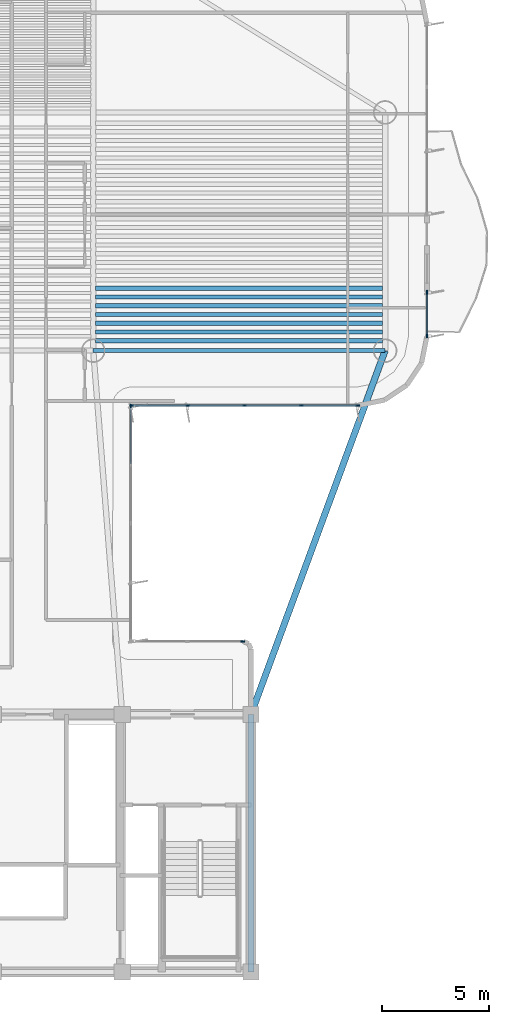
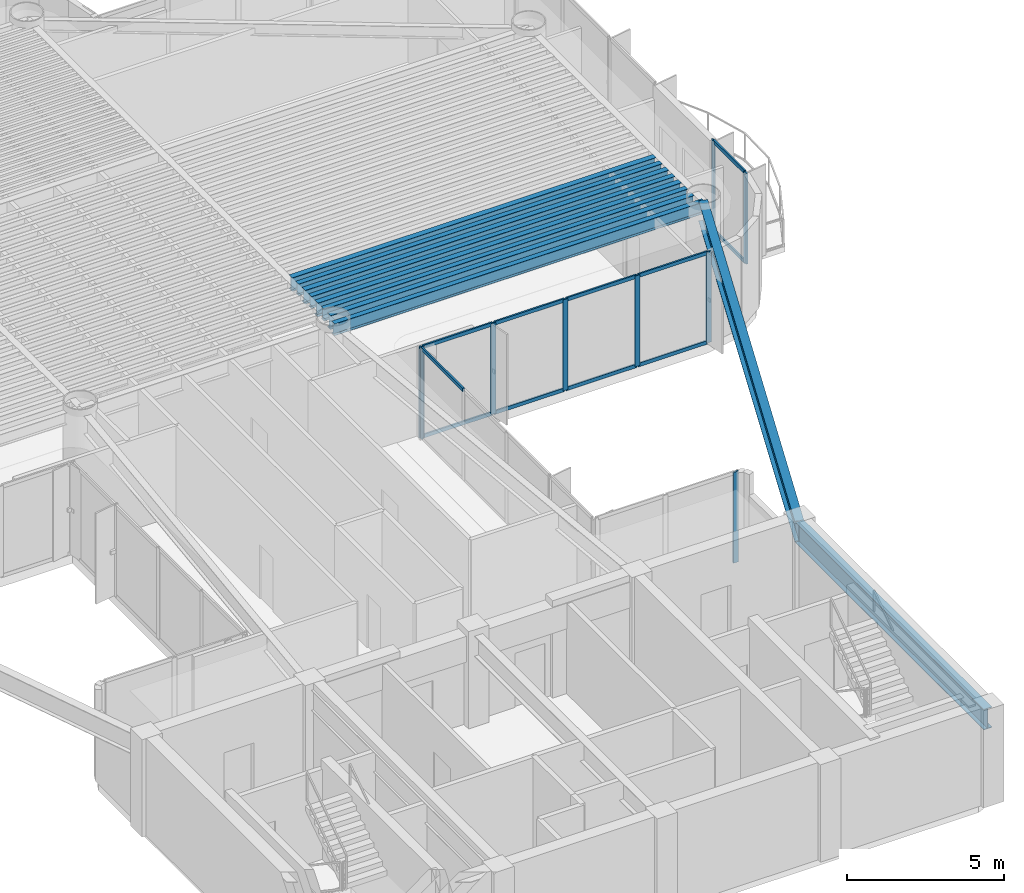
# One storey, part 4 of 15: 20 members, 10 beams, 4 elements without a shape of their own.
"""IFC4 building model written with IfcOpenShell, lengths in metres."""

from ifc_helpers import new_model, si_unit, direction, frame, origin, origin_2d, place, context, subcontext, project, spatial, rectangle, i_section, extrude, source, transform, mapped, material, layer, layer_set, material_profile, profile_set, type_object, element, aggregate, save


model = new_model("IFC4")

# Units and contexts
model_context = context("Model", 3, precision=1e-05, world=origin(), true_north=direction((0.0, 1.0)))
body_context = subcontext(model_context, "Body", "Model", "MODEL_VIEW")
ifc_project = project(units=[si_unit("LENGTHUNIT", "METRE"), si_unit("AREAUNIT", "SQUARE_METRE"), si_unit("VOLUMEUNIT", "CUBIC_METRE"), si_unit("PLANEANGLEUNIT", "RADIAN"), si_unit("MASSUNIT", "GRAM", prefix="KILO")], contexts=[model_context])

# Site, building, storey
site_placement = place(None, origin())
site = spatial("IfcSite", under=ifc_project, at=site_placement, CompositionType="ELEMENT")
building_placement = place(site_placement, origin())
building = spatial("IfcBuilding", under=site, at=building_placement, Name="Brelvock Crest Care Tower", CompositionType="ELEMENT")
storey_placement = place(building_placement, frame((0.0, 0.0, 156.419921875)))
storey = spatial("IfcBuildingStorey", under=building, at=storey_placement, Name="L39", CompositionType="ELEMENT", Elevation=156.419921875)

# Beams
ifc_material_1 = material(Name="Steel Grade 350", Category="steel")
ifc_material_profile_1 = material_profile(ifc_material_1, i_section(OverallWidth=0.300048828125, OverallDepth=0.800048828125, WebThickness=0.013916015625, FlangeThickness=0.02197265625, at=origin_2d()), Name="800WB192")
ifc_profile_set_1 = profile_set([ifc_material_profile_1], Name="Steel Grade 350")
beam_type_1 = type_object("IfcBeamType", Name="BM-G5", PredefinedType="BEAM", material=ifc_profile_set_1)
shared_shape_1 = source(origin(), body_context, "Body", "SweptSolid", [
    extrude(i_section(OverallWidth=0.300048828125, OverallDepth=0.800048828125, WebThickness=0.013916015625, FlangeThickness=0.02197265625, at=origin_2d()), origin(), (0.0, 0.0, 1.0), 12.0),
])
beam_1_placement = place(storey_placement, frame((48.0, 6.0, 3.130126953125), z_axis=(0.0, 1.0, 0.0), x_axis=(-1.0, 0.0, 0.0)))
element("IfcBeam", 1, at=beam_1_placement, inside=storey, type_object=beam_type_1, Name="BM-COREX-L39-5", PredefinedType="BEAM", context=body_context, shape_type="MappedRepresentation", body=[
    mapped(shared_shape_1, transform((0.0, 0.0, 0.0), x_axis=(1.0, 0.0, 0.0), y_axis=(0.0, 1.0, 0.0), z_axis=(0.0, 0.0, 1.0), scale=1.0)),
])
ifc_material_profile_2 = material_profile(ifc_material_1, i_section(OverallWidth=0.208984375, OverallDepth=0.532958984375, WebThickness=0.01025390625, FlangeThickness=0.015625, FilletRadius=0.013916015625, at=origin_2d()), Name="530UB92.4")
ifc_profile_set_2 = profile_set([ifc_material_profile_2], Name="Steel Grade 350")
beam_type_2 = type_object("IfcBeamType", Name="BM-G2", PredefinedType="BEAM", material=ifc_profile_set_2)
shared_shape_2 = source(origin(), body_context, "Body", "SweptSolid", [
    extrude(i_section(OverallWidth=0.208984375, OverallDepth=0.532958984375, WebThickness=0.01025390625, FlangeThickness=0.015625, FilletRadius=0.013916015625, at=origin_2d()), origin(), (0.0, 0.0, 1.0), 13.3701171875),
])
for number, where, z_axis, x_axis, name in (
    (2, (40.764892578125, 35.416259765625, 3.263671875), (1.0, 0.0, 0.0), (0.0, 1.0, 0.0), "BM-JE-L39-1"),
    (3, (40.764892578125, 36.2265625, 3.263671875), (1.0, 0.0, 0.0), (0.0, 1.0, 0.0), "BM-JE-L39-3"),
    (4, (40.764892578125, 37.036865234375, 3.263671875), (1.0, 0.0, 0.0), (0.0, 1.0, 0.0), "BM-JE-L39-5"),
    (5, (40.764892578125, 37.84716796875, 3.263671875), (1.0, 0.0, 0.0), (0.0, 1.0, 0.0), "BM-JE-L39-7"),
):
    element("IfcBeam", number, at=place(storey_placement, frame(where, z_axis=z_axis, x_axis=x_axis)), inside=storey, type_object=beam_type_2, Name=name, PredefinedType="BEAM", context=body_context, shape_type="MappedRepresentation", body=[
        mapped(shared_shape_2, transform((0.0, 0.0, 0.0), x_axis=(1.0, 0.0, 0.0), y_axis=(0.0, 1.0, 0.0), z_axis=(0.0, 0.0, 1.0), scale=1.0)),
    ])
ifc_material_profile_3 = material_profile(ifc_material_1, i_section(OverallWidth=0.19091796875, OverallDepth=0.4599609375, WebThickness=0.010009765625, FlangeThickness=0.01611328125, FilletRadius=0.011474609375, at=origin_2d()), Name="460UB82.1")
ifc_profile_set_3 = profile_set([ifc_material_profile_3], Name="Steel Grade 350")
beam_type_3 = type_object("IfcBeamType", Name="BM-G3", PredefinedType="BEAM", material=ifc_profile_set_3)
shared_shape_3 = source(origin(), body_context, "Body", "SweptSolid", [
    extrude(i_section(OverallWidth=0.19091796875, OverallDepth=0.4599609375, WebThickness=0.010009765625, FlangeThickness=0.01611328125, FilletRadius=0.011474609375, at=origin_2d()), origin(), (0.0, 0.0, 1.0), 13.3701171875),
])
for number, where, z_axis, x_axis, name in (
    (6, (40.764892578125, 35.8212890625, 3.300048828125), (1.0, 0.0, 0.0), (0.0, 1.0, 0.0), "BM-JE-L39-2"),
    (7, (40.764892578125, 36.631591796875, 3.300048828125), (1.0, 0.0, 0.0), (0.0, 1.0, 0.0), "BM-JE-L39-4"),
    (8, (40.764892578125, 37.44189453125, 3.300048828125), (1.0, 0.0, 0.0), (0.0, 1.0, 0.0), "BM-JE-L39-6"),
):
    element("IfcBeam", number, at=place(storey_placement, frame(where, z_axis=z_axis, x_axis=x_axis)), inside=storey, type_object=beam_type_3, Name=name, PredefinedType="BEAM", context=body_context, shape_type="MappedRepresentation", body=[
        mapped(shared_shape_3, transform((0.0, 0.0, 0.0), x_axis=(1.0, 0.0, 0.0), y_axis=(0.0, 1.0, 0.0), z_axis=(0.0, 0.0, 1.0), scale=1.0)),
    ])
ifc_material_profile_4 = material_profile(ifc_material_1, i_section(OverallWidth=0.19091796875, OverallDepth=0.4599609375, WebThickness=0.010009765625, FlangeThickness=0.01611328125, FilletRadius=0.011474609375, at=origin_2d()), Name="460UB82.1")
ifc_profile_set_4 = profile_set([ifc_material_profile_4], Name="Steel Grade 350")
beam_type_4 = type_object("IfcBeamType", Name="BM-SP2", PredefinedType="SPANDREL", material=ifc_profile_set_4)
shared_shape_4 = source(origin(), body_context, "Body", "SweptSolid", [
    extrude(i_section(OverallWidth=0.19091796875, OverallDepth=0.4599609375, WebThickness=0.010009765625, FlangeThickness=0.01611328125, FilletRadius=0.011474609375, at=origin_2d()), origin(), (0.0, 0.0, 1.0), 13.60009765625),
])
beam_2_placement = place(storey_placement, frame((40.64990234375, 34.949951171875, 3.300048828125), z_axis=(1.0, 0.0, 0.0), x_axis=(0.0, 1.0, 0.0)))
element("IfcBeam", 9, at=beam_2_placement, inside=storey, type_object=beam_type_4, Name="BM-TWR-L39-04", PredefinedType="SPANDREL", context=body_context, shape_type="MappedRepresentation", body=[
    mapped(shared_shape_4, transform((0.0, 0.0, 0.0), x_axis=(1.0, 0.0, 0.0), y_axis=(0.0, 1.0, 0.0), z_axis=(0.0, 0.0, 1.0), scale=1.0)),
])
shared_shape_5 = source(origin(), body_context, "Body", "SweptSolid", [
    extrude(i_section(OverallWidth=0.300048828125, OverallDepth=0.800048828125, WebThickness=0.013916015625, FlangeThickness=0.02197265625, at=origin_2d()), origin(), (0.0, 0.0, 1.0), 18.0654296875),
])
beam_3_placement = place(storey_placement, frame((48.0, 18.0, 3.130126953125), z_axis=(0.345962741309, 0.938248251597, 0.0), x_axis=(-0.938248251597, 0.345962741309, 0.0)))
element("IfcBeam", 10, at=beam_3_placement, inside=storey, type_object=beam_type_1, Name="BM-THRO-E-L39", PredefinedType="BEAM", context=body_context, shape_type="MappedRepresentation", body=[
    mapped(shared_shape_5, transform((0.0, 0.0, 0.0), x_axis=(1.0, 0.0, 0.0), y_axis=(0.0, 1.0, 0.0), z_axis=(0.0, 0.0, 1.0), scale=1.0)),
])

# Curtain wall, members
ifc_material_2 = material(Name="Dark Glass Double Glazed Low-E", Category="glass")
ifc_layer = layer(ifc_material_2, 0.22509765625, Name="CWS-4")
ifc_layer_set = layer_set([ifc_layer], Name="Dark Glass Double Glazed Low-E")
curtain_wall_type = type_object("IfcCurtainWallType", Name="CWS-4", PredefinedType="NOTDEFINED", material=ifc_layer_set)
curtain_wall_1_placement = place(storey_placement, origin())
curtain_wall_1 = element("IfcCurtainWall", 11, at=curtain_wall_1_placement, inside=storey, type_object=curtain_wall_type, Name="L39 Curtain Wall E39B", PredefinedType="NOTDEFINED")
ifc_material_3 = material(Name="Aluminium 6063-T6", Category="aluminium")
ifc_material_profile_5 = material_profile(ifc_material_3, rectangle(XDim=0.06005859375, YDim=0.179931640625, at=origin_2d()), Name="ALU60x180")
ifc_profile_set_5 = profile_set([ifc_material_profile_5], Name="Aluminium 6063-T6")
member_type_1 = type_object("IfcMemberType", Name="CWM-2", PredefinedType="MULLION", material=ifc_profile_set_5)
shared_shape_6 = source(origin(), body_context, "Body", "SweptSolid", [
    extrude(rectangle(XDim=0.06005859375, YDim=0.179931640625, at=origin_2d()), origin(), (0.0, 0.0, 1.0), 3.530029296875),
])
member_1_placement = place(storey_placement, frame((56.199951171875, 37.669921875, 0.0), z_axis=(0.0, 0.0, 1.0), x_axis=(1.0, 0.0, 0.0)))
member_1 = element("IfcMember", 12, at=member_1_placement, type_object=member_type_1, Name="CW-4 mullion 1", PredefinedType="MULLION", context=body_context, shape_type="MappedRepresentation", body=[
    mapped(shared_shape_6, transform((0.0, 0.0, 0.0), x_axis=(1.0, 0.0, 0.0), y_axis=(0.0, 1.0, 0.0), z_axis=(0.0, 0.0, 1.0), scale=1.0)),
])
member_2_placement = place(storey_placement, frame((56.199951171875, 35.6298828125, 0.0), z_axis=(0.0, 0.0, 1.0), x_axis=(1.0, 0.0, 0.0)))
member_2 = element("IfcMember", 13, at=member_2_placement, type_object=member_type_1, Name="CW-4 mullion 2", PredefinedType="MULLION", context=body_context, shape_type="MappedRepresentation", body=[
    mapped(shared_shape_6, transform((0.0, 0.0, 0.0), x_axis=(1.0, 0.0, 0.0), y_axis=(0.0, 1.0, 0.0), z_axis=(0.0, 0.0, 1.0), scale=1.0)),
])

curtain_wall_2_placement = place(storey_placement, origin())
curtain_wall_2 = element("IfcCurtainWall", 14, at=curtain_wall_2_placement, inside=storey, type_object=curtain_wall_type, Name="L39 Curtain Wall E44", PredefinedType="NOTDEFINED")
member_3_placement = place(storey_placement, frame((52.969970703125, 32.39990234375, 0.0), z_axis=(0.0, 0.0, 1.0), x_axis=(0.0, -1.0, 0.0)))
member_3 = element("IfcMember", 15, at=member_3_placement, type_object=member_type_1, Name="CW-4 mullion 1", PredefinedType="MULLION", context=body_context, shape_type="MappedRepresentation", body=[
    mapped(shared_shape_6, transform((0.0, 0.0, 0.0), x_axis=(1.0, 0.0, 0.0), y_axis=(0.0, 1.0, 0.0), z_axis=(0.0, 0.0, 1.0), scale=1.0)),
])
member_4_placement = place(storey_placement, frame((50.35009765625, 32.39990234375, 0.0), z_axis=(0.0, 0.0, 1.0), x_axis=(0.0, -1.0, 0.0)))
member_4 = element("IfcMember", 16, at=member_4_placement, type_object=member_type_1, Name="CW-4 mullion 2", PredefinedType="MULLION", context=body_context, shape_type="MappedRepresentation", body=[
    mapped(shared_shape_6, transform((0.0, 0.0, 0.0), x_axis=(1.0, 0.0, 0.0), y_axis=(0.0, 1.0, 0.0), z_axis=(0.0, 0.0, 1.0), scale=1.0)),
])
member_5_placement = place(storey_placement, frame((47.699951171875, 32.39990234375, 0.0), z_axis=(0.0, 0.0, 1.0), x_axis=(0.0, -1.0, 0.0)))
member_5 = element("IfcMember", 17, at=member_5_placement, type_object=member_type_1, Name="CW-4 mullion 3", PredefinedType="MULLION", context=body_context, shape_type="MappedRepresentation", body=[
    mapped(shared_shape_6, transform((0.0, 0.0, 0.0), x_axis=(1.0, 0.0, 0.0), y_axis=(0.0, 1.0, 0.0), z_axis=(0.0, 0.0, 1.0), scale=1.0)),
])
member_6_placement = place(storey_placement, frame((45.050048828125, 32.39990234375, 0.0), z_axis=(0.0, 0.0, 1.0), x_axis=(0.0, -1.0, 0.0)))
member_6 = element("IfcMember", 18, at=member_6_placement, type_object=member_type_1, Name="CW-4 mullion 4", PredefinedType="MULLION", context=body_context, shape_type="MappedRepresentation", body=[
    mapped(shared_shape_6, transform((0.0, 0.0, 0.0), x_axis=(1.0, 0.0, 0.0), y_axis=(0.0, 1.0, 0.0), z_axis=(0.0, 0.0, 1.0), scale=1.0)),
])
member_7_placement = place(storey_placement, frame((42.429931640625, 32.39990234375, 0.0), z_axis=(0.0, 0.0, 1.0), x_axis=(0.0, -1.0, 0.0)))
member_7 = element("IfcMember", 19, at=member_7_placement, type_object=member_type_1, Name="CW-4 mullion 5", PredefinedType="MULLION", context=body_context, shape_type="MappedRepresentation", body=[
    mapped(shared_shape_6, transform((0.0, 0.0, 0.0), x_axis=(1.0, 0.0, 0.0), y_axis=(0.0, 1.0, 0.0), z_axis=(0.0, 0.0, 1.0), scale=1.0)),
])

# Curtain wall, member
curtain_wall_3_placement = place(storey_placement, origin())
curtain_wall_3 = element("IfcCurtainWall", 20, at=curtain_wall_3_placement, inside=storey, type_object=curtain_wall_type, Name="L39 Curtain Wall E45", PredefinedType="NOTDEFINED")
member_8_placement = place(storey_placement, frame((42.39990234375, 32.3701171875, 0.0), z_axis=(0.0, 0.0, 1.0), x_axis=(1.0, 0.0, 0.0)))
member_8 = element("IfcMember", 21, at=member_8_placement, type_object=member_type_1, Name="CW-4 mullion 1", PredefinedType="MULLION", context=body_context, shape_type="MappedRepresentation", body=[
    mapped(shared_shape_6, transform((0.0, 0.0, 0.0), x_axis=(1.0, 0.0, 0.0), y_axis=(0.0, 1.0, 0.0), z_axis=(0.0, 0.0, 1.0), scale=1.0)),
])

curtain_wall_4_placement = place(storey_placement, origin())
curtain_wall_4 = element("IfcCurtainWall", 22, at=curtain_wall_4_placement, inside=storey, type_object=curtain_wall_type, Name="L39 Curtain Wall E46", PredefinedType="NOTDEFINED")
member_9_placement = place(storey_placement, frame((47.6201171875, 21.39990234375, 0.0), z_axis=(0.0, 0.0, 1.0), x_axis=(0.0, 1.0, 0.0)))
member_9 = element("IfcMember", 23, at=member_9_placement, type_object=member_type_1, Name="CW-4 mullion 3", PredefinedType="MULLION", context=body_context, shape_type="MappedRepresentation", body=[
    mapped(shared_shape_6, transform((0.0, 0.0, 0.0), x_axis=(1.0, 0.0, 0.0), y_axis=(0.0, 1.0, 0.0), z_axis=(0.0, 0.0, 1.0), scale=1.0)),
])
aggregate(curtain_wall_4, [member_9])

# Member
ifc_material_profile_6 = material_profile(ifc_material_3, rectangle(XDim=0.06005859375, YDim=0.139892578125, at=origin_2d()), Name="ALU60x140")
ifc_profile_set_6 = profile_set([ifc_material_profile_6], Name="Aluminium 6063-T6")
member_type_2 = type_object("IfcMemberType", Name="CWT-2", PredefinedType="USERDEFINED", material=ifc_profile_set_6)
shared_shape_7 = source(origin(), body_context, "Body", "SweptSolid", [
    extrude(rectangle(XDim=0.06005859375, YDim=0.139892578125, at=origin_2d()), origin(), (0.0, 0.0, 1.0), 2.66015625),
])
member_10_placement = place(storey_placement, frame((42.39990234375, 32.340087890625, 3.5), z_axis=(0.0, -1.0, 0.0), x_axis=(1.0, 0.0, 0.0)))
member_10 = element("IfcMember", 24, at=member_10_placement, type_object=member_type_2, Name="CW-4 transom 1.2", ObjectType="TRANSOM", PredefinedType="USERDEFINED", context=body_context, shape_type="MappedRepresentation", body=[
    mapped(shared_shape_7, transform((0.0, 0.0, 0.0), x_axis=(1.0, 0.0, 0.0), y_axis=(0.0, 1.0, 0.0), z_axis=(0.0, 0.0, 1.0), scale=1.0)),
])

aggregate(curtain_wall_3, [member_8, member_10])

shared_shape_8 = source(origin(), body_context, "Body", "SweptSolid", [
    extrude(rectangle(XDim=0.06005859375, YDim=0.139892578125, at=origin_2d()), origin(), (0.0, 0.0, 1.0), 2.56005859375),
])
member_11_placement = place(storey_placement, frame((52.93994140625, 32.39990234375, 0.030029296875), z_axis=(-1.0, 0.0, 0.0), x_axis=(0.0, -1.0, 0.0)))
member_11 = element("IfcMember", 25, at=member_11_placement, type_object=member_type_2, Name="CW-4 transom 1.1", ObjectType="TRANSOM", PredefinedType="USERDEFINED", context=body_context, shape_type="MappedRepresentation", body=[
    mapped(shared_shape_8, transform((0.0, 0.0, 0.0), x_axis=(1.0, 0.0, 0.0), y_axis=(0.0, 1.0, 0.0), z_axis=(0.0, 0.0, 1.0), scale=1.0)),
])

member_12_placement = place(storey_placement, frame((52.93994140625, 32.39990234375, 3.5), z_axis=(-1.0, 0.0, 0.0), x_axis=(0.0, -1.0, 0.0)))
member_12 = element("IfcMember", 26, at=member_12_placement, type_object=member_type_2, Name="CW-4 transom 1.2", ObjectType="TRANSOM", PredefinedType="USERDEFINED", context=body_context, shape_type="MappedRepresentation", body=[
    mapped(shared_shape_8, transform((0.0, 0.0, 0.0), x_axis=(1.0, 0.0, 0.0), y_axis=(0.0, 1.0, 0.0), z_axis=(0.0, 0.0, 1.0), scale=1.0)),
])

member_13_placement = place(storey_placement, frame((45.02001953125, 32.39990234375, 0.030029296875), z_axis=(-1.0, 0.0, 0.0), x_axis=(0.0, -1.0, 0.0)))
member_13 = element("IfcMember", 27, at=member_13_placement, type_object=member_type_2, Name="CW-4 transom 4.1", ObjectType="TRANSOM", PredefinedType="USERDEFINED", context=body_context, shape_type="MappedRepresentation", body=[
    mapped(shared_shape_8, transform((0.0, 0.0, 0.0), x_axis=(1.0, 0.0, 0.0), y_axis=(0.0, 1.0, 0.0), z_axis=(0.0, 0.0, 1.0), scale=1.0)),
])

member_14_placement = place(storey_placement, frame((45.02001953125, 32.39990234375, 3.5), z_axis=(-1.0, 0.0, 0.0), x_axis=(0.0, -1.0, 0.0)))
member_14 = element("IfcMember", 28, at=member_14_placement, type_object=member_type_2, Name="CW-4 transom 4.2", ObjectType="TRANSOM", PredefinedType="USERDEFINED", context=body_context, shape_type="MappedRepresentation", body=[
    mapped(shared_shape_8, transform((0.0, 0.0, 0.0), x_axis=(1.0, 0.0, 0.0), y_axis=(0.0, 1.0, 0.0), z_axis=(0.0, 0.0, 1.0), scale=1.0)),
])

shared_shape_9 = source(origin(), body_context, "Body", "SweptSolid", [
    extrude(rectangle(XDim=0.06005859375, YDim=0.139892578125, at=origin_2d()), origin(), (0.0, 0.0, 1.0), 2.58984375),
])
member_15_placement = place(storey_placement, frame((47.669921875, 32.39990234375, 0.030029296875), z_axis=(-1.0, 0.0, 0.0), x_axis=(0.0, -1.0, 0.0)))
member_15 = element("IfcMember", 29, at=member_15_placement, type_object=member_type_2, Name="CW-4 transom 3.1", ObjectType="TRANSOM", PredefinedType="USERDEFINED", context=body_context, shape_type="MappedRepresentation", body=[
    mapped(shared_shape_9, transform((0.0, 0.0, 0.0), x_axis=(1.0, 0.0, 0.0), y_axis=(0.0, 1.0, 0.0), z_axis=(0.0, 0.0, 1.0), scale=1.0)),
])

member_16_placement = place(storey_placement, frame((47.669921875, 32.39990234375, 3.5), z_axis=(-1.0, 0.0, 0.0), x_axis=(0.0, -1.0, 0.0)))
member_16 = element("IfcMember", 30, at=member_16_placement, type_object=member_type_2, Name="CW-4 transom 3.2", ObjectType="TRANSOM", PredefinedType="USERDEFINED", context=body_context, shape_type="MappedRepresentation", body=[
    mapped(shared_shape_9, transform((0.0, 0.0, 0.0), x_axis=(1.0, 0.0, 0.0), y_axis=(0.0, 1.0, 0.0), z_axis=(0.0, 0.0, 1.0), scale=1.0)),
])

shared_shape_10 = source(origin(), body_context, "Body", "SweptSolid", [
    extrude(rectangle(XDim=0.06005859375, YDim=0.139892578125, at=origin_2d()), origin(), (0.0, 0.0, 1.0), 2.590087890625),
])
member_17_placement = place(storey_placement, frame((50.320068359375, 32.39990234375, 0.030029296875), z_axis=(-1.0, 0.0, 0.0), x_axis=(0.0, -1.0, 0.0)))
member_17 = element("IfcMember", 31, at=member_17_placement, type_object=member_type_2, Name="CW-4 transom 2.1", ObjectType="TRANSOM", PredefinedType="USERDEFINED", context=body_context, shape_type="MappedRepresentation", body=[
    mapped(shared_shape_10, transform((0.0, 0.0, 0.0), x_axis=(1.0, 0.0, 0.0), y_axis=(0.0, 1.0, 0.0), z_axis=(0.0, 0.0, 1.0), scale=1.0)),
])

member_18_placement = place(storey_placement, frame((50.320068359375, 32.39990234375, 3.5), z_axis=(-1.0, 0.0, 0.0), x_axis=(0.0, -1.0, 0.0)))
member_18 = element("IfcMember", 32, at=member_18_placement, type_object=member_type_2, Name="CW-4 transom 2.2", ObjectType="TRANSOM", PredefinedType="USERDEFINED", context=body_context, shape_type="MappedRepresentation", body=[
    mapped(shared_shape_10, transform((0.0, 0.0, 0.0), x_axis=(1.0, 0.0, 0.0), y_axis=(0.0, 1.0, 0.0), z_axis=(0.0, 0.0, 1.0), scale=1.0)),
])

aggregate(curtain_wall_2, [member_3, member_4, member_5, member_6, member_7, member_11, member_12, member_17, member_18, member_15, member_16, member_13, member_14])

shared_shape_11 = source(origin(), body_context, "Body", "SweptSolid", [
    extrude(rectangle(XDim=0.06005859375, YDim=0.139892578125, at=origin_2d()), origin(), (0.0, 0.0, 1.0), 1.97998046875),
])
member_19_placement = place(storey_placement, frame((56.199951171875, 37.639892578125, 0.030029296875), z_axis=(0.0, -1.0, 0.0), x_axis=(1.0, 0.0, 0.0)))
member_19 = element("IfcMember", 33, at=member_19_placement, type_object=member_type_2, Name="CW-4 transom 1.1", ObjectType="TRANSOM", PredefinedType="USERDEFINED", context=body_context, shape_type="MappedRepresentation", body=[
    mapped(shared_shape_11, transform((0.0, 0.0, 0.0), x_axis=(1.0, 0.0, 0.0), y_axis=(0.0, 1.0, 0.0), z_axis=(0.0, 0.0, 1.0), scale=1.0)),
])

member_20_placement = place(storey_placement, frame((56.199951171875, 37.639892578125, 3.5), z_axis=(0.0, -1.0, 0.0), x_axis=(1.0, 0.0, 0.0)))
member_20 = element("IfcMember", 34, at=member_20_placement, type_object=member_type_2, Name="CW-4 transom 1.2", ObjectType="TRANSOM", PredefinedType="USERDEFINED", context=body_context, shape_type="MappedRepresentation", body=[
    mapped(shared_shape_11, transform((0.0, 0.0, 0.0), x_axis=(1.0, 0.0, 0.0), y_axis=(0.0, 1.0, 0.0), z_axis=(0.0, 0.0, 1.0), scale=1.0)),
])

aggregate(curtain_wall_1, [member_1, member_2, member_19, member_20])

save(model, "model.ifc")
